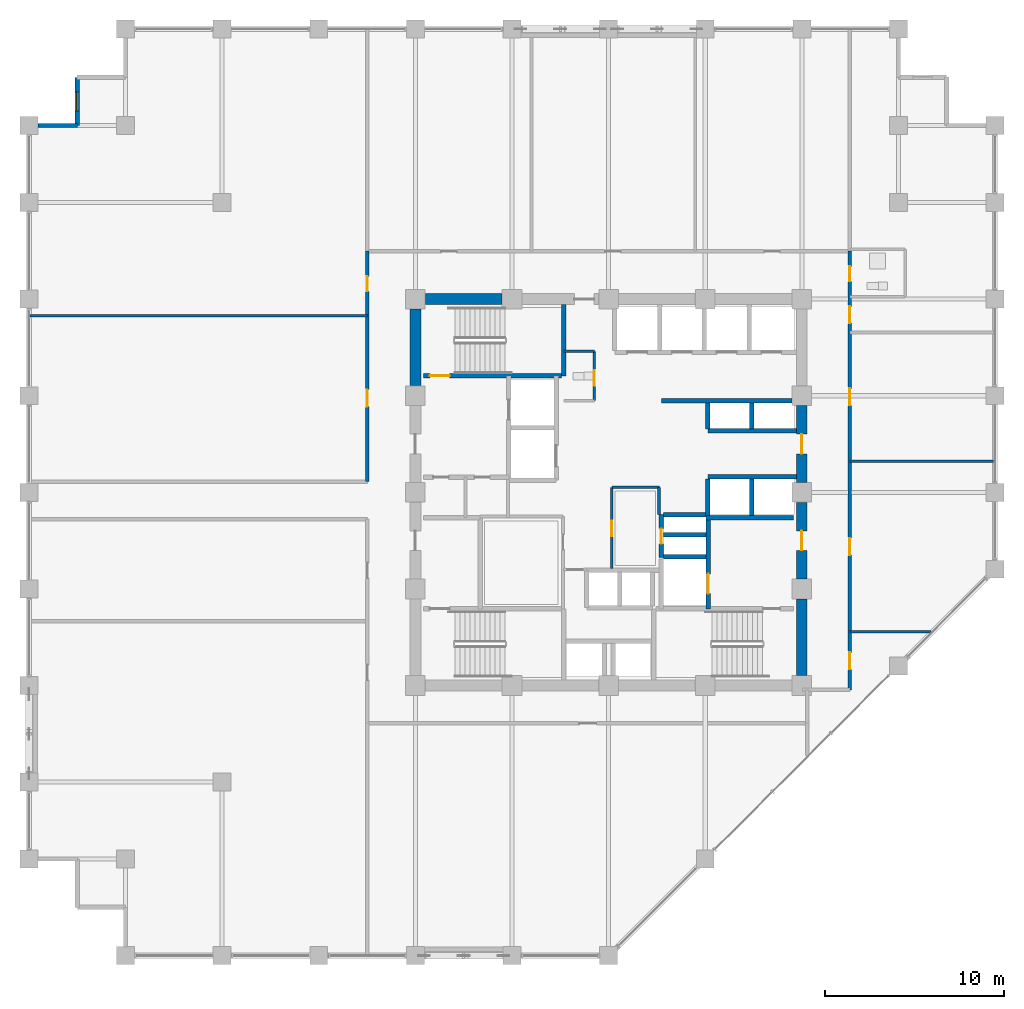
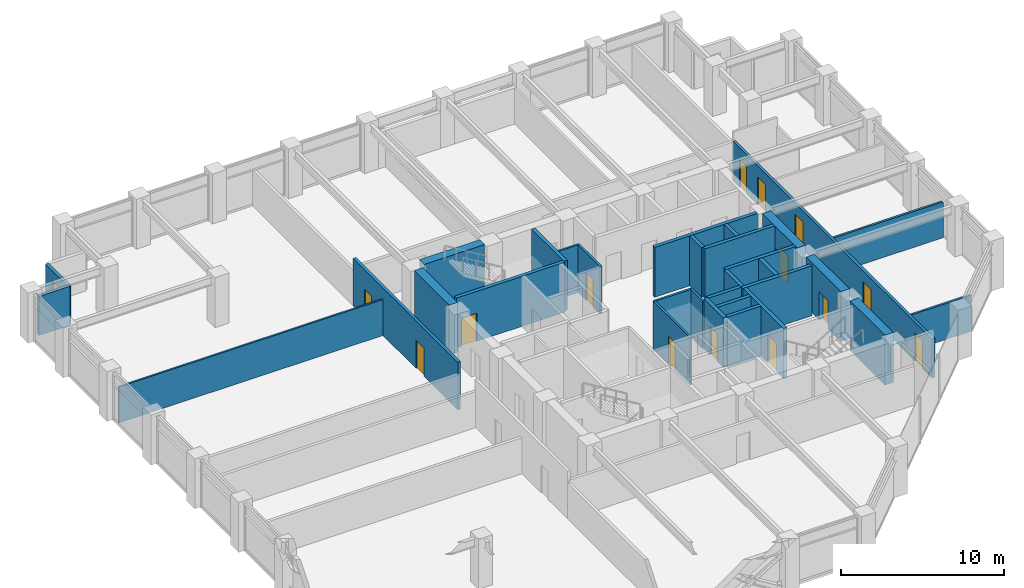
# One storey, part 20 of 23: 32 walls, 14 doors, 1 window, 15 openings.
"""IFC4 building model written with IfcOpenShell, lengths in metres."""

from ifc_helpers import new_model, si_unit, direction, frame, frame_2d, origin, place, context, subcontext, project, spatial, rectangle, extrude, material, layer, layer_set, type_object, element, fill, save


model = new_model("IFC4")

# Units and contexts
model_context = context("Model", 3, precision=1e-05, world=origin(), true_north=direction((0.0, 1.0)))
body_context = subcontext(model_context, "Body", "Model", "MODEL_VIEW")
ifc_project = project(units=[si_unit("LENGTHUNIT", "METRE"), si_unit("AREAUNIT", "SQUARE_METRE"), si_unit("VOLUMEUNIT", "CUBIC_METRE"), si_unit("PLANEANGLEUNIT", "RADIAN"), si_unit("MASSUNIT", "GRAM", prefix="KILO")], contexts=[model_context])

# Site, building, storey
site_placement = place(None, origin())
site = spatial("IfcSite", under=ifc_project, at=site_placement, CompositionType="ELEMENT")
building_placement = place(site_placement, origin())
building = spatial("IfcBuilding", under=site, at=building_placement, Name="Surkhivell Harbour Commons", CompositionType="ELEMENT")
storey_placement = place(building_placement, frame((0.0, 0.0, 132.0)))
storey = spatial("IfcBuildingStorey", under=building, at=storey_placement, Name="L34", CompositionType="ELEMENT", Elevation=132.0)

# Walls
ifc_material_1 = material(Name="Concrete C60/75", Category="concrete")
ifc_layer_1 = layer(ifc_material_1, 0.60009765625)
ifc_layer_set_1 = layer_set([ifc_layer_1], Name="Concrete C60/75")
wall_type_1 = type_object("IfcWallType", Name="WAL-CORE-600", PredefinedType="SHEAR", material=ifc_layer_set_1)
for number, where, z_axis, x_axis, name in (
    (1, (-10.239990234375, 10.800048828125, 0.0), (0.0, 0.0, 1.0), (1.0, 0.0, 0.0), "L34 Core Shear Wall North 1"),
    (2, (10.800048828125, -10.239990234375, 0.0), (0.0, 0.0, 1.0), (0.0, 1.0, 0.0), "L34 Core Shear Wall East 1"),
):
    element("IfcWall", number, at=place(storey_placement, frame(where, z_axis=z_axis, x_axis=x_axis)), inside=storey, type_object=wall_type_1, Name=name, PredefinedType="SHEAR", context=body_context, shape_type="SweptSolid", body=[
        extrude(rectangle(XDim=4.280029296875, YDim=0.60009765625, at=frame_2d((2.14013671875, 0.0))), origin(), (0.0, 0.0, 1.0), 3.75),
    ])

# Wall, opening, door
wall_1_placement = place(storey_placement, frame((10.800048828125, -4.840087890625, 0.0), z_axis=(0.0, 0.0, 1.0), x_axis=(0.0, 1.0, 0.0)))
wall_1 = element("IfcWall", 3, at=wall_1_placement, inside=storey, type_object=wall_type_1, Name="L34 Core Shear Wall East 2", PredefinedType="SHEAR", context=body_context, shape_type="SweptSolid", body=[
    extrude(rectangle(XDim=4.280029296875, YDim=0.60009765625, at=frame_2d((2.14013671875, 0.0))), origin(), (0.0, 0.0, 1.0), 3.75),
])
opening_1_placement = place(wall_1_placement, frame((1.590087890625, 0.0, 0.0)))
opening_1 = element("IfcOpeningElement", 4, at=opening_1_placement, cuts=wall_1, Name="Opening ID-1", PredefinedType="OPENING", context=body_context, shape_type="SweptSolid", body=[
    extrude(rectangle(XDim=1.10009765625, YDim=2.10009765625, at=frame_2d((0.550048828125, 1.050048828125))), frame((0.0, 0.31005859375, 0.0), z_axis=(0.0, -1.0, 0.0), x_axis=(1.0, 0.0, 0.0)), (0.0, 0.0, 1.0), 0.6201171875),
])
ifc_material_2 = material(Name="Hardwood-veneered fire-rated door leaf", Category="wood")
door_type_1 = type_object("IfcDoorType", Name="DOR-FD120-1100", OperationType="NOTDEFINED", PredefinedType="DOOR", material=ifc_material_2)
door_1_placement = place(opening_1_placement, origin())
door_1 = element("IfcDoor", 5, at=door_1_placement, inside=storey, type_object=door_type_1, Name="L34 Firefighting Lobby 2 Corridor Door", OperationType="SINGLE_SWING_RIGHT", OverallHeight=2.10009765625, OverallWidth=1.10009765625, PredefinedType="DOOR", context=body_context, shape_type="SweptSolid", body=[
    extrude(rectangle(XDim=1.10009765625, YDim=2.10009765625, at=frame_2d((0.550048828125, 1.050048828125))), frame((0.0, 0.02490234375, 0.0), z_axis=(0.0, -1.0, 0.0), x_axis=(1.0, 0.0, 0.0)), (0.0, 0.0, 1.0), 0.050048828125),
])
fill(opening_1, door_1)

wall_2_placement = place(storey_placement, frame((10.800048828125, 0.56005859375, 0.0), z_axis=(0.0, 0.0, 1.0), x_axis=(0.0, 1.0, 0.0)))
wall_2 = element("IfcWall", 6, at=wall_2_placement, inside=storey, type_object=wall_type_1, Name="L34 Core Shear Wall East 3", PredefinedType="SHEAR", context=body_context, shape_type="SweptSolid", body=[
    extrude(rectangle(XDim=4.280029296875, YDim=0.60009765625, at=frame_2d((2.14013671875, 0.0))), origin(), (0.0, 0.0, 1.0), 3.75),
])
opening_2_placement = place(wall_2_placement, frame((1.590087890625, 0.0, 0.0)))
opening_2 = element("IfcOpeningElement", 7, at=opening_2_placement, cuts=wall_2, Name="Opening ID-2", PredefinedType="OPENING", context=body_context, shape_type="SweptSolid", body=[
    extrude(rectangle(XDim=1.10009765625, YDim=2.10009765625, at=frame_2d((0.550048828125, 1.050048828125))), frame((0.0, 0.31005859375, 0.0), z_axis=(0.0, -1.0, 0.0), x_axis=(1.0, 0.0, 0.0)), (0.0, 0.0, 1.0), 0.6201171875),
])
door_type_2 = type_object("IfcDoorType", Name="DOR-FD60-1100", OperationType="NOTDEFINED", PredefinedType="DOOR", material=ifc_material_2)
door_2_placement = place(opening_2_placement, origin())
door_2 = element("IfcDoor", 8, at=door_2_placement, inside=storey, type_object=door_type_2, Name="L34 Mid-Rise Lobby East Door", OperationType="SINGLE_SWING_LEFT", OverallHeight=2.10009765625, OverallWidth=1.10009765625, PredefinedType="DOOR", context=body_context, shape_type="SweptSolid", body=[
    extrude(rectangle(XDim=1.10009765625, YDim=2.10009765625, at=frame_2d((0.550048828125, 1.050048828125))), frame((0.0, 0.02490234375, 0.0), z_axis=(0.0, -1.0, 0.0), x_axis=(1.0, 0.0, 0.0)), (0.0, 0.0, 1.0), 0.050048828125),
])
fill(opening_2, door_2)

# Wall
wall_3_placement = place(storey_placement, frame((-10.800048828125, 5.9599609375, 0.0), z_axis=(0.0, 0.0, 1.0), x_axis=(0.0, 1.0, 0.0)))
element("IfcWall", 9, at=wall_3_placement, inside=storey, type_object=wall_type_1, Name="L34 Core Shear Wall West 4", PredefinedType="SHEAR", context=body_context, shape_type="SweptSolid", body=[
    extrude(rectangle(XDim=4.280029296875, YDim=0.60009765625, at=frame_2d((2.14013671875, 0.0))), origin(), (0.0, 0.0, 1.0), 3.75),
])

# Wall, opening, window
ifc_material_3 = material(Name="Bronze-ochre cassette precast concrete C45/55", Category="concrete")
ifc_layer_2 = layer(ifc_material_3, 0.239990234375)
ifc_layer_set_2 = layer_set([ifc_layer_2], Name="Bronze-ochre cassette precast concrete C45/55")
wall_type_2 = type_object("IfcWallType", Name="WAL-EXT-OCH240", PredefinedType="STANDARD", material=ifc_layer_set_2)
wall_4_placement = place(storey_placement, frame((-29.699951171875, 23.199951171875, 0.0), z_axis=(0.0, 0.0, 1.0), x_axis=(0.0, -1.0, 0.0)))
wall_4 = element("IfcWall", 10, at=wall_4_placement, inside=storey, type_object=wall_type_2, Name="L34 Serrated Corner Facade Wall 10", PredefinedType="STANDARD", context=body_context, shape_type="SweptSolid", body=[
    extrude(rectangle(XDim=2.699951171875, YDim=0.239990234375, at=frame_2d((1.35009765625, 0.0))), origin(), (0.0, 0.0, 1.0), 2.93310546875),
])
opening_3_placement = place(wall_4_placement, frame((0.824951171875, 0.0, 0.64990234375)))
opening_3 = element("IfcOpeningElement", 11, at=opening_3_placement, cuts=wall_4, Name="Opening WN-11", PredefinedType="OPENING", context=body_context, shape_type="SweptSolid", body=[
    extrude(rectangle(XDim=1.050048828125, YDim=1.5, at=frame_2d((0.52490234375, 0.75))), frame((0.0, 0.1298828125, 0.0), z_axis=(0.0, -1.0, 0.0), x_axis=(1.0, 0.0, 0.0)), (0.0, 0.0, 1.0), 0.260009765625),
])
ifc_material_4 = material(Name="Thermal-break aluminium frame and double low-E glazing", Category="aluminium")
window_type = type_object("IfcWindowType", Name="WIN-SER-1050x1500", PartitioningType="SINGLE_PANEL", PredefinedType="WINDOW", material=ifc_material_4)
window_placement = place(opening_3_placement, origin())
window = element("IfcWindow", 12, at=window_placement, inside=storey, type_object=window_type, Name="L34 Serrated Alcove Window 10", OverallHeight=1.5, OverallWidth=1.050048828125, PartitioningType="SINGLE_PANEL", PredefinedType="WINDOW", context=body_context, shape_type="SweptSolid", body=[
    extrude(rectangle(XDim=1.050048828125, YDim=1.5, at=frame_2d((0.52490234375, 0.75))), frame((0.0, 0.030029296875, 0.0), z_axis=(0.0, -1.0, 0.0), x_axis=(1.0, 0.0, 0.0)), (0.0, 0.0, 1.0), 0.06005859375),
])
fill(opening_3, window)

# Walls
wall_5_placement = place(storey_placement, frame((-29.699951171875, 20.5, 0.0), z_axis=(0.0, 0.0, 1.0), x_axis=(-1.0, 0.0, 0.0)))
element("IfcWall", 13, at=wall_5_placement, inside=storey, type_object=wall_type_2, Name="L34 Serrated Corner Facade Wall 11", PredefinedType="STANDARD", context=body_context, shape_type="SweptSolid", body=[
    extrude(rectangle(XDim=2.2021484375, YDim=0.239990234375, at=frame_2d((1.10107421875, 0.0))), origin(), (0.0, 0.0, 1.0), 2.93310546875),
])
ifc_material_5 = material(Name="Moisture-resistant acoustic stud partition", Category="other")
ifc_layer_3 = layer(ifc_material_5, 0.125)
ifc_layer_set_3 = layer_set([ifc_layer_3], Name="Moisture-resistant acoustic stud partition")
wall_type_3 = type_object("IfcWallType", Name="WAL-INT-125", PredefinedType="PARTITIONING", material=ifc_layer_set_3)
wall_6_placement = place(storey_placement, frame((-32.340087890625, 9.8701171875, 0.0), z_axis=(0.0, 0.0, 1.0), x_axis=(1.0, 0.0, 0.0)))
element("IfcWall", 14, at=wall_6_placement, inside=storey, type_object=wall_type_3, Name="L34 North-West Partition P1", PredefinedType="PARTITIONING", context=body_context, shape_type="SweptSolid", body=[
    extrude(rectangle(XDim=18.860107421875, YDim=0.125, at=frame_2d((9.43017578125, 0.0))), origin(), (0.0, 0.0, 1.0), 2.698974609375),
])

# Wall, opening, door
ifc_material_6 = material(Name="Twin-stud acoustic fireboard partition", Category="other")
ifc_layer_4 = layer(ifc_material_6, 0.14990234375)
ifc_layer_set_4 = layer_set([ifc_layer_4], Name="Twin-stud acoustic fireboard partition")
wall_type_4 = type_object("IfcWallType", Name="WAL-INT-150", PredefinedType="PARTITIONING", material=ifc_layer_set_4)
wall_7_placement = place(storey_placement, frame((-0.800048828125, 5.1201171875, 0.0), z_axis=(0.0, 0.0, 1.0), x_axis=(0.0, 1.0, 0.0)))
wall_7 = element("IfcWall", 15, at=wall_7_placement, inside=storey, type_object=wall_type_4, Name="L34 Core Accessible WC East Wall", PredefinedType="PARTITIONING", context=body_context, shape_type="SweptSolid", body=[
    extrude(rectangle(XDim=2.759765625, YDim=0.14990234375, at=frame_2d((1.3798828125, 0.0))), origin(), (0.0, 0.0, 1.0), 3.570068359375),
])
opening_4_placement = place(wall_7_placement, frame((0.85009765625, 0.0, 0.0)))
opening_4 = element("IfcOpeningElement", 16, at=opening_4_placement, cuts=wall_7, Name="Opening ID-6", PredefinedType="OPENING", context=body_context, shape_type="SweptSolid", body=[
    extrude(rectangle(XDim=0.85009765625, YDim=2.10009765625, at=frame_2d((0.425048828125, 1.050048828125))), frame((0.0, 0.0849609375, 0.0), z_axis=(0.0, -1.0, 0.0), x_axis=(1.0, 0.0, 0.0)), (0.0, 0.0, 1.0), 0.169921875),
])
door_type_3 = type_object("IfcDoorType", Name="DOR-FD30-850", OperationType="NOTDEFINED", PredefinedType="DOOR", material=ifc_material_2)
door_3_placement = place(opening_4_placement, origin())
door_3 = element("IfcDoor", 17, at=door_3_placement, inside=storey, type_object=door_type_3, Name="L34 Floor Accessible WC Door", OperationType="SINGLE_SWING_LEFT", OverallHeight=2.10009765625, OverallWidth=0.85009765625, PredefinedType="DOOR", context=body_context, shape_type="SweptSolid", body=[
    extrude(rectangle(XDim=0.85009765625, YDim=2.10009765625, at=frame_2d((0.425048828125, 1.050048828125))), frame((0.0, 0.02490234375, 0.0), z_axis=(0.0, -1.0, 0.0), x_axis=(1.0, 0.0, 0.0)), (0.0, 0.0, 1.0), 0.050048828125),
])
fill(opening_4, door_3)

# Walls
wall_8_placement = place(storey_placement, frame((-2.47998046875, 7.8798828125, 0.0), z_axis=(0.0, 0.0, 1.0), x_axis=(1.0, 0.0, 0.0)))
element("IfcWall", 18, at=wall_8_placement, inside=storey, type_object=wall_type_4, Name="L34 Core Accessible WC North Wall", PredefinedType="PARTITIONING", context=body_context, shape_type="SweptSolid", body=[
    extrude(rectangle(XDim=1.679931640625, YDim=0.14990234375, at=frame_2d((0.83984375, 0.0))), origin(), (0.0, 0.0, 1.0), 3.570068359375),
])
wall_9_placement = place(storey_placement, frame((2.820068359375, -1.25, 0.0), z_axis=(0.0, 0.0, 1.0), x_axis=(0.0, 1.0, 0.0)))
element("IfcWall", 19, at=wall_9_placement, inside=storey, type_object=wall_type_4, Name="L34 Central Music East Wall", PredefinedType="PARTITIONING", context=body_context, shape_type="SweptSolid", body=[
    extrude(rectangle(XDim=1.530029296875, YDim=0.14990234375, at=frame_2d((0.76513671875, 0.0))), origin(), (0.0, 0.0, 1.0), 3.570068359375),
])
wall_10_placement = place(storey_placement, frame((0.179931640625, 0.280029296875, 0.0), z_axis=(0.0, 0.0, 1.0), x_axis=(1.0, 0.0, 0.0)))
element("IfcWall", 20, at=wall_10_placement, inside=storey, type_object=wall_type_4, Name="L34 Central Music North Wall", PredefinedType="PARTITIONING", context=body_context, shape_type="SweptSolid", body=[
    extrude(rectangle(XDim=2.670166015625, YDim=0.14990234375, at=frame_2d((1.3349609375, 0.0))), origin(), (0.0, 0.0, 1.0), 3.570068359375),
])

# Wall, opening, door
wall_11_placement = place(storey_placement, frame((0.179931640625, -4.25, 0.0), z_axis=(0.0, 0.0, 1.0), x_axis=(0.0, 1.0, 0.0)))
wall_11 = element("IfcWall", 21, at=wall_11_placement, inside=storey, type_object=wall_type_4, Name="L34 Central Music West Wall", PredefinedType="PARTITIONING", context=body_context, shape_type="SweptSolid", body=[
    extrude(rectangle(XDim=4.530029296875, YDim=0.14990234375, at=frame_2d((2.26513671875, 0.0))), origin(), (0.0, 0.0, 1.0), 3.570068359375),
])
opening_5_placement = place(wall_11_placement, frame((1.800048828125, 0.0, 0.0)))
opening_5 = element("IfcOpeningElement", 22, at=opening_5_placement, cuts=wall_11, Name="Opening ID-6", PredefinedType="OPENING", context=body_context, shape_type="SweptSolid", body=[
    extrude(rectangle(XDim=0.85009765625, YDim=2.10009765625, at=frame_2d((0.425048828125, 1.050048828125))), frame((0.0, 0.0849609375, 0.0), z_axis=(0.0, -1.0, 0.0), x_axis=(1.0, 0.0, 0.0)), (0.0, 0.0, 1.0), 0.169921875),
])
door_4_placement = place(opening_5_placement, origin())
door_4 = element("IfcDoor", 23, at=door_4_placement, inside=storey, type_object=door_type_3, Name="L34 Central Music Door", OperationType="SINGLE_SWING_RIGHT", OverallHeight=2.10009765625, OverallWidth=0.85009765625, PredefinedType="DOOR", context=body_context, shape_type="SweptSolid", body=[
    extrude(rectangle(XDim=0.85009765625, YDim=2.10009765625, at=frame_2d((0.425048828125, 1.050048828125))), frame((0.0, 0.02490234375, 0.0), z_axis=(0.0, -1.0, 0.0), x_axis=(1.0, 0.0, 0.0)), (0.0, 0.0, 1.0), 0.050048828125),
])
fill(opening_5, door_4)

# Walls
wall_12_placement = place(storey_placement, frame((13.47998046875, 1.739990234375, 0.0), z_axis=(0.0, 0.0, 1.0), x_axis=(1.0, 0.0, 0.0)))
element("IfcWall", 24, at=wall_12_placement, inside=storey, type_object=wall_type_4, Name="L34 East Partition BDP1", PredefinedType="PARTITIONING", context=body_context, shape_type="SweptSolid", body=[
    extrude(rectangle(XDim=8.06005859375, YDim=0.14990234375, at=frame_2d((4.030029296875, 0.0))), origin(), (0.0, 0.0, 1.0), 2.698974609375),
])
wall_13_placement = place(storey_placement, frame((13.47998046875, -7.800048828125, 0.0), z_axis=(0.0, 0.0, 1.0), x_axis=(1.0, 0.0, 0.0)))
element("IfcWall", 25, at=wall_13_placement, inside=storey, type_object=wall_type_4, Name="L34 East Partition PBOT", PredefinedType="PARTITIONING", context=body_context, shape_type="SweptSolid", body=[
    extrude(rectangle(XDim=4.53515625, YDim=0.14990234375, at=frame_2d((2.267578125, 0.0))), origin(), (0.0, 0.0, 1.0), 2.698974609375),
])

# Wall, openings, doors
ifc_material_7 = material(Name="Autoclaved aerated concrete blockwork and fire plaster", Category="masonry")
ifc_layer_5 = layer(ifc_material_7, 0.199951171875)
ifc_layer_set_5 = layer_set([ifc_layer_5], Name="Autoclaved aerated concrete blockwork and fire plaster")
wall_type_5 = type_object("IfcWallType", Name="WAL-INT-200", PredefinedType="PARTITIONING", material=ifc_layer_set_5)
wall_14_placement = place(storey_placement, frame((13.47998046875, -11.0400390625, 0.0), z_axis=(0.0, 0.0, 1.0), x_axis=(0.0, 1.0, 0.0)))
wall_14 = element("IfcWall", 26, at=wall_14_placement, inside=storey, type_object=wall_type_5, Name="L34 Corridor East Wall", PredefinedType="PARTITIONING", context=body_context, shape_type="SweptSolid", body=[
    extrude(rectangle(XDim=24.52001953125, YDim=0.199951171875, at=frame_2d((12.260009765625, 0.0))), origin(), (0.0, 0.0, 1.0), 2.93310546875),
])
opening_6_placement = place(wall_14_placement, frame((1.139892578125, 0.0, 0.0)))
opening_6 = element("IfcOpeningElement", 27, at=opening_6_placement, cuts=wall_14, Name="Opening ID-4", PredefinedType="OPENING", context=body_context, shape_type="SweptSolid", body=[
    extrude(rectangle(XDim=0.949951171875, YDim=2.10009765625, at=frame_2d((0.47509765625, 1.050048828125))), frame((0.0, 0.10986328125, 0.0), z_axis=(0.0, -1.0, 0.0), x_axis=(1.0, 0.0, 0.0)), (0.0, 0.0, 1.0), 0.219970703125),
])
opening_7_placement = place(wall_14_placement, frame((22.824951171875, 0.0, 0.0)))
opening_7 = element("IfcOpeningElement", 28, at=opening_7_placement, cuts=wall_14, Name="Opening ID-6", PredefinedType="OPENING", context=body_context, shape_type="SweptSolid", body=[
    extrude(rectangle(XDim=0.85009765625, YDim=2.10009765625, at=frame_2d((0.425048828125, 1.050048828125))), frame((0.0, 0.10986328125, 0.0), z_axis=(0.0, -1.0, 0.0), x_axis=(1.0, 0.0, 0.0)), (0.0, 0.0, 1.0), 0.219970703125),
])
opening_8_placement = place(wall_14_placement, frame((20.489990234375, 0.0, 0.0)))
opening_8 = element("IfcOpeningElement", 29, at=opening_8_placement, cuts=wall_14, Name="Opening ID-4", PredefinedType="OPENING", context=body_context, shape_type="SweptSolid", body=[
    extrude(rectangle(XDim=0.949951171875, YDim=2.10009765625, at=frame_2d((0.47509765625, 1.050048828125))), frame((0.0, 0.10986328125, 0.0), z_axis=(0.0, -1.0, 0.0), x_axis=(1.0, 0.0, 0.0)), (0.0, 0.0, 1.0), 0.219970703125),
])
opening_9_placement = place(wall_14_placement, frame((7.530029296875, 0.0, 0.0)))
opening_9 = element("IfcOpeningElement", 30, at=opening_9_placement, cuts=wall_14, Name="Opening ID-4", PredefinedType="OPENING", context=body_context, shape_type="SweptSolid", body=[
    extrude(rectangle(XDim=0.949951171875, YDim=2.10009765625, at=frame_2d((0.47509765625, 1.050048828125))), frame((0.0, 0.10986328125, 0.0), z_axis=(0.0, -1.0, 0.0), x_axis=(1.0, 0.0, 0.0)), (0.0, 0.0, 1.0), 0.219970703125),
])
opening_10_placement = place(wall_14_placement, frame((15.89501953125, 0.0, 0.0)))
opening_10 = element("IfcOpeningElement", 31, at=opening_10_placement, cuts=wall_14, Name="Opening ID-4", PredefinedType="OPENING", context=body_context, shape_type="SweptSolid", body=[
    extrude(rectangle(XDim=0.949951171875, YDim=2.10009765625, at=frame_2d((0.47509765625, 1.050048828125))), frame((0.0, 0.10986328125, 0.0), z_axis=(0.0, -1.0, 0.0), x_axis=(1.0, 0.0, 0.0)), (0.0, 0.0, 1.0), 0.219970703125),
])
door_5_placement = place(opening_7_placement, origin())
door_5 = element("IfcDoor", 32, at=door_5_placement, inside=storey, type_object=door_type_3, Name="L34 Communal Shower Bathroom East Door", OperationType="SINGLE_SWING_LEFT", OverallHeight=2.10009765625, OverallWidth=0.85009765625, PredefinedType="DOOR", context=body_context, shape_type="SweptSolid", body=[
    extrude(rectangle(XDim=0.85009765625, YDim=2.10009765625, at=frame_2d((0.425048828125, 1.050048828125))), frame((0.0, 0.02490234375, 0.0), z_axis=(0.0, -1.0, 0.0), x_axis=(1.0, 0.0, 0.0)), (0.0, 0.0, 1.0), 0.050048828125),
])
fill(opening_7, door_5)
door_type_4 = type_object("IfcDoorType", Name="DOR-FD60-950", OperationType="NOTDEFINED", PredefinedType="DOOR", material=ifc_material_2)
door_6_placement = place(opening_6_placement, origin())
door_6 = element("IfcDoor", 33, at=door_6_placement, inside=storey, type_object=door_type_4, Name="L34 Shared Communal Kitchen East Door", OperationType="SINGLE_SWING_RIGHT", OverallHeight=2.10009765625, OverallWidth=0.949951171875, PredefinedType="DOOR", context=body_context, shape_type="SweptSolid", body=[
    extrude(rectangle(XDim=0.949951171875, YDim=2.10009765625, at=frame_2d((0.47509765625, 1.050048828125))), frame((0.0, 0.02490234375, 0.0), z_axis=(0.0, -1.0, 0.0), x_axis=(1.0, 0.0, 0.0)), (0.0, 0.0, 1.0), 0.050048828125),
])
fill(opening_6, door_6)
door_7_placement = place(opening_8_placement, origin())
door_7 = element("IfcDoor", 34, at=door_7_placement, inside=storey, type_object=door_type_4, Name="L34 Academic Reading Commons East Door", OperationType="SINGLE_SWING_RIGHT", OverallHeight=2.10009765625, OverallWidth=0.949951171875, PredefinedType="DOOR", context=body_context, shape_type="SweptSolid", body=[
    extrude(rectangle(XDim=0.949951171875, YDim=2.10009765625, at=frame_2d((0.47509765625, 1.050048828125))), frame((0.0, 0.02490234375, 0.0), z_axis=(0.0, -1.0, 0.0), x_axis=(1.0, 0.0, 0.0)), (0.0, 0.0, 1.0), 0.050048828125),
])
fill(opening_8, door_7)
door_8_placement = place(opening_9_placement, origin())
door_8 = element("IfcDoor", 35, at=door_8_placement, inside=storey, type_object=door_type_4, Name="L34 Hostel Cluster Bedroom 1 East Door", OperationType="SINGLE_SWING_LEFT", OverallHeight=2.10009765625, OverallWidth=0.949951171875, PredefinedType="DOOR", context=body_context, shape_type="SweptSolid", body=[
    extrude(rectangle(XDim=0.949951171875, YDim=2.10009765625, at=frame_2d((0.47509765625, 1.050048828125))), frame((0.0, 0.02490234375, 0.0), z_axis=(0.0, -1.0, 0.0), x_axis=(1.0, 0.0, 0.0)), (0.0, 0.0, 1.0), 0.050048828125),
])
fill(opening_9, door_8)
door_9_placement = place(opening_10_placement, origin())
door_9 = element("IfcDoor", 36, at=door_9_placement, inside=storey, type_object=door_type_4, Name="L34 Co-Living Dormitory Bedroom 2 East Door", OperationType="SINGLE_SWING_RIGHT", OverallHeight=2.10009765625, OverallWidth=0.949951171875, PredefinedType="DOOR", context=body_context, shape_type="SweptSolid", body=[
    extrude(rectangle(XDim=0.949951171875, YDim=2.10009765625, at=frame_2d((0.47509765625, 1.050048828125))), frame((0.0, 0.02490234375, 0.0), z_axis=(0.0, -1.0, 0.0), x_axis=(1.0, 0.0, 0.0)), (0.0, 0.0, 1.0), 0.050048828125),
])
fill(opening_10, door_9)

wall_15_placement = place(storey_placement, frame((-13.47998046875, 0.60009765625, 0.0), z_axis=(0.0, 0.0, 1.0), x_axis=(0.0, 1.0, 0.0)))
wall_15 = element("IfcWall", 37, at=wall_15_placement, inside=storey, type_object=wall_type_5, Name="L34 Corridor West-Upper Wall", PredefinedType="PARTITIONING", context=body_context, shape_type="SweptSolid", body=[
    extrude(rectangle(XDim=12.8798828125, YDim=0.199951171875, at=frame_2d((6.43994140625, 0.0))), origin(), (0.0, 0.0, 1.0), 3.570068359375),
])
opening_11_placement = place(wall_15_placement, frame((4.18505859375, 0.0, 0.0)))
opening_11 = element("IfcOpeningElement", 38, at=opening_11_placement, cuts=wall_15, Name="Opening ID-4", PredefinedType="OPENING", context=body_context, shape_type="SweptSolid", body=[
    extrude(rectangle(XDim=0.949951171875, YDim=2.10009765625, at=frame_2d((0.47509765625, 1.050048828125))), frame((0.0, 0.10986328125, 0.0), z_axis=(0.0, -1.0, 0.0), x_axis=(1.0, 0.0, 0.0)), (0.0, 0.0, 1.0), 0.219970703125),
])
opening_12_placement = place(wall_15_placement, frame((10.625, 0.0, 0.0)))
opening_12 = element("IfcOpeningElement", 39, at=opening_12_placement, cuts=wall_15, Name="Opening ID-6", PredefinedType="OPENING", context=body_context, shape_type="SweptSolid", body=[
    extrude(rectangle(XDim=0.85009765625, YDim=2.10009765625, at=frame_2d((0.425048828125, 1.050048828125))), frame((0.0, 0.10986328125, 0.0), z_axis=(0.0, -1.0, 0.0), x_axis=(1.0, 0.0, 0.0)), (0.0, 0.0, 1.0), 0.219970703125),
])
door_10_placement = place(opening_12_placement, origin())
door_10 = element("IfcDoor", 40, at=door_10_placement, inside=storey, type_object=door_type_3, Name="L34 Resident Advisory Reception Desk North-West Door", OperationType="SINGLE_SWING_RIGHT", OverallHeight=2.10009765625, OverallWidth=0.85009765625, PredefinedType="DOOR", context=body_context, shape_type="SweptSolid", body=[
    extrude(rectangle(XDim=0.85009765625, YDim=2.10009765625, at=frame_2d((0.425048828125, 1.050048828125))), frame((0.0, 0.02490234375, 0.0), z_axis=(0.0, -1.0, 0.0), x_axis=(1.0, 0.0, 0.0)), (0.0, 0.0, 1.0), 0.050048828125),
])
fill(opening_12, door_10)
door_11_placement = place(opening_11_placement, origin())
door_11 = element("IfcDoor", 41, at=door_11_placement, inside=storey, type_object=door_type_4, Name="L34 Zone Concierge Reception Foyer North-West Door", OperationType="SINGLE_SWING_LEFT", OverallHeight=2.10009765625, OverallWidth=0.949951171875, PredefinedType="DOOR", context=body_context, shape_type="SweptSolid", body=[
    extrude(rectangle(XDim=0.949951171875, YDim=2.10009765625, at=frame_2d((0.47509765625, 1.050048828125))), frame((0.0, 0.02490234375, 0.0), z_axis=(0.0, -1.0, 0.0), x_axis=(1.0, 0.0, 0.0)), (0.0, 0.0, 1.0), 0.050048828125),
])
fill(opening_11, door_11)

# Walls
ifc_material_8 = material(Name="Concrete C50/60", Category="concrete")
ifc_layer_6 = layer(ifc_material_8, 0.25)
ifc_layer_set_6 = layer_set([ifc_layer_6], Name="Concrete C50/60")
wall_type_6 = type_object("IfcWallType", Name="WAL-SHAFT-250", PredefinedType="SHEAR", material=ifc_layer_set_6)
wall_16_placement = place(storey_placement, frame((5.43994140625, -1.419921875, 0.0), z_axis=(0.0, 0.0, 1.0), x_axis=(1.0, 0.0, 0.0)))
element("IfcWall", 42, at=wall_16_placement, inside=storey, type_object=wall_type_6, Name="L34 Firefighting Lobby 2 North Wall", PredefinedType="SHEAR", context=body_context, shape_type="SweptSolid", body=[
    extrude(rectangle(XDim=4.900146484375, YDim=0.25, at=frame_2d((2.4501953125, 0.0))), origin(), (0.0, 0.0, 1.0), 3.75),
])
wall_17_placement = place(storey_placement, frame((3.080078125, -3.60009765625, 0.0), z_axis=(0.0, 0.0, 1.0), x_axis=(1.0, 0.0, 0.0)))
element("IfcWall", 43, at=wall_17_placement, inside=storey, type_object=wall_type_6, Name="L34 FFL2 North Shaft Wall", PredefinedType="SHEAR", context=body_context, shape_type="SweptSolid", body=[
    extrude(rectangle(XDim=2.369873046875, YDim=0.25, at=frame_2d((1.18505859375, 0.0))), origin(), (0.0, 0.0, 1.0), 3.75),
])

# Wall, opening, door
wall_18_placement = place(storey_placement, frame((5.580078125, -6.510009765625, 0.0), z_axis=(0.0, 0.0, 1.0), x_axis=(0.0, 1.0, 0.0)))
wall_18 = element("IfcWall", 44, at=wall_18_placement, inside=storey, type_object=wall_type_6, Name="L34 Firefighting Lobby 2 West Shaft Wall", PredefinedType="SHEAR", context=body_context, shape_type="SweptSolid", body=[
    extrude(rectangle(XDim=5.090087890625, YDim=0.25, at=frame_2d((2.544921875, 0.0))), origin(), (0.0, 0.0, 1.0), 3.75),
])
opening_13_placement = place(wall_18_placement, frame((0.85009765625, 0.0, 0.0)))
opening_13 = element("IfcOpeningElement", 45, at=opening_13_placement, cuts=wall_18, Name="Opening LD-1", PredefinedType="OPENING", context=body_context, shape_type="SweptSolid", body=[
    extrude(rectangle(XDim=1.10009765625, YDim=2.10009765625, at=frame_2d((0.550048828125, 1.050048828125))), frame((0.0, 0.135009765625, 0.0), z_axis=(0.0, -1.0, 0.0), x_axis=(1.0, 0.0, 0.0)), (0.0, 0.0, 1.0), 0.27001953125),
])
ifc_material_9 = material(Name="Brushed stainless steel S355", Category="steel")
door_type_5 = type_object("IfcDoorType", Name="DOR-LD-1100", OperationType="SLIDING_TO_LEFT", PredefinedType="DOOR", material=ifc_material_9)
door_12_placement = place(opening_13_placement, origin())
door_12 = element("IfcDoor", 46, at=door_12_placement, inside=storey, type_object=door_type_5, Name="L34 Lift Landing Door LD-FFL2", OperationType="SLIDING_TO_RIGHT", OverallHeight=2.10009765625, OverallWidth=1.10009765625, PredefinedType="DOOR", context=body_context, shape_type="SweptSolid", body=[
    extrude(rectangle(XDim=1.10009765625, YDim=2.10009765625, at=frame_2d((0.550048828125, 1.050048828125))), frame((0.0, 0.02490234375, 0.0), z_axis=(0.0, -1.0, 0.0), x_axis=(1.0, 0.0, 0.0)), (0.0, 0.0, 1.0), 0.050048828125),
])
fill(opening_13, door_12)

# Walls
wall_19_placement = place(storey_placement, frame((2.949951171875, 5.1201171875, 0.0), z_axis=(0.0, 0.0, 1.0), x_axis=(1.0, 0.0, 0.0)))
element("IfcWall", 47, at=wall_19_placement, inside=storey, type_object=wall_type_6, Name="L34 Low-Rise Lobby South Wall", PredefinedType="SHEAR", context=body_context, shape_type="SweptSolid", body=[
    extrude(rectangle(XDim=7.300048828125, YDim=0.25, at=frame_2d((3.64990234375, 0.0))), origin(), (0.0, 0.0, 1.0), 3.75),
])
for number, where, z_axis, x_axis, name in (
    (48, (5.550048828125, 3.550048828125, 0.0), (0.0, 0.0, 1.0), (0.0, 1.0, 0.0), "L34 Mid-Rise Shaft Side Wall N"),
    (49, (8.0, 3.550048828125, 0.0), (0.0, 0.0, 1.0), (0.0, 1.0, 0.0), "L34 Mid-Rise Shaft Side Wall N"),
):
    element("IfcWall", number, at=place(storey_placement, frame(where, z_axis=z_axis, x_axis=x_axis)), inside=storey, type_object=wall_type_6, Name=name, PredefinedType="SHEAR", context=body_context, shape_type="SweptSolid", body=[
        extrude(rectangle(XDim=1.449951171875, YDim=0.25, at=frame_2d((0.72509765625, 0.0))), origin(), (0.0, 0.0, 1.0), 3.75),
    ])
for number, where, z_axis, x_axis, name in (
    (50, (5.550048828125, -1.300048828125, 0.0), (0.0, 0.0, 1.0), (0.0, 1.0, 0.0), "L34 Mid-Rise Shaft Side Wall S"),
    (51, (8.0, -1.300048828125, 0.0), (0.0, 0.0, 1.0), (0.0, 1.0, 0.0), "L34 Mid-Rise Shaft Side Wall S"),
):
    element("IfcWall", number, at=place(storey_placement, frame(where, z_axis=z_axis, x_axis=x_axis)), inside=storey, type_object=wall_type_6, Name=name, PredefinedType="SHEAR", context=body_context, shape_type="SweptSolid", body=[
        extrude(rectangle(XDim=2.0400390625, YDim=0.25, at=frame_2d((1.02001953125, 0.0))), origin(), (0.0, 0.0, 1.0), 3.75),
    ])
for number, where, z_axis, x_axis, name in (
    (52, (5.550048828125, 3.429931640625, 0.0), (0.0, 0.0, 1.0), (1.0, 0.0, 0.0), "L34 Mid-Rise North Front Shaft Wall"),
    (53, (5.550048828125, 0.8701171875, 0.0), (0.0, 0.0, 1.0), (1.0, 0.0, 0.0), "L34 Mid-Rise South Front Shaft Wall"),
):
    element("IfcWall", number, at=place(storey_placement, frame(where, z_axis=z_axis, x_axis=x_axis)), inside=storey, type_object=wall_type_6, Name=name, PredefinedType="SHEAR", context=body_context, shape_type="SweptSolid", body=[
        extrude(rectangle(XDim=4.949951171875, YDim=0.25, at=frame_2d((2.47509765625, 0.0))), origin(), (0.0, 0.0, 1.0), 3.75),
    ])
for number, where, z_axis, x_axis, name in (
    (54, (3.080078125, -2.3798828125, 0.0), (0.0, 0.0, 1.0), (1.0, 0.0, 0.0), "L34 Riser Divider Wall"),
    (55, (3.080078125, -1.25, 0.0), (0.0, 0.0, 1.0), (1.0, 0.0, 0.0), "L34 Riser North Wall"),
):
    element("IfcWall", number, at=place(storey_placement, frame(where, z_axis=z_axis, x_axis=x_axis)), inside=storey, type_object=wall_type_6, Name=name, PredefinedType="SHEAR", context=body_context, shape_type="SweptSolid", body=[
        extrude(rectangle(XDim=2.369873046875, YDim=0.25, at=frame_2d((1.18505859375, 0.0))), origin(), (0.0, 0.0, 1.0), 3.75),
    ])

# Wall, opening, door
wall_20_placement = place(storey_placement, frame((2.949951171875, -3.64990234375, 0.0), z_axis=(0.0, 0.0, 1.0), x_axis=(0.0, 1.0, 0.0)))
wall_20 = element("IfcWall", 56, at=wall_20_placement, inside=storey, type_object=wall_type_6, Name="L34 Riser Shaft West Wall", PredefinedType="SHEAR", context=body_context, shape_type="SweptSolid", body=[
    extrude(rectangle(XDim=2.39990234375, YDim=0.25, at=frame_2d((1.199951171875, 0.0))), origin(), (0.0, 0.0, 1.0), 3.75),
])
opening_14_placement = place(wall_20_placement, frame((0.77490234375, 0.0, 0.0)))
opening_14 = element("IfcOpeningElement", 57, at=opening_14_placement, cuts=wall_20, Name="Opening ID-6", PredefinedType="OPENING", context=body_context, shape_type="SweptSolid", body=[
    extrude(rectangle(XDim=0.85009765625, YDim=2.10009765625, at=frame_2d((0.425048828125, 1.050048828125))), frame((0.0, 0.135009765625, 0.0), z_axis=(0.0, -1.0, 0.0), x_axis=(1.0, 0.0, 0.0)), (0.0, 0.0, 1.0), 0.27001953125),
])
door_13_placement = place(opening_14_placement, origin())
door_13 = element("IfcDoor", 58, at=door_13_placement, inside=storey, type_object=door_type_3, Name="L34 Electrical Riser Access Door", OperationType="SINGLE_SWING_LEFT", OverallHeight=2.10009765625, OverallWidth=0.85009765625, PredefinedType="DOOR", context=body_context, shape_type="SweptSolid", body=[
    extrude(rectangle(XDim=0.85009765625, YDim=2.10009765625, at=frame_2d((0.425048828125, 1.050048828125))), frame((0.0, 0.02490234375, 0.0), z_axis=(0.0, -1.0, 0.0), x_axis=(1.0, 0.0, 0.0)), (0.0, 0.0, 1.0), 0.050048828125),
])
fill(opening_14, door_13)

# Wall
wall_21_placement = place(storey_placement, frame((-2.510009765625, 6.510009765625, 0.0), z_axis=(0.0, 0.0, 1.0), x_axis=(0.0, 1.0, 0.0)))
element("IfcWall", 59, at=wall_21_placement, inside=storey, type_object=wall_type_6, Name="L34 Stair ST1 East Shear Wall", PredefinedType="SHEAR", context=body_context, shape_type="SweptSolid", body=[
    extrude(rectangle(XDim=3.989990234375, YDim=0.25, at=frame_2d((1.9951171875, 0.0))), origin(), (0.0, 0.0, 1.0), 3.75),
])

# Wall, opening, door
wall_22_placement = place(storey_placement, frame((-10.340087890625, 6.510009765625, 0.0), z_axis=(0.0, 0.0, 1.0), x_axis=(1.0, 0.0, 0.0)))
wall_22 = element("IfcWall", 60, at=wall_22_placement, inside=storey, type_object=wall_type_6, Name="L34 Stair ST1 South Shear Wall", PredefinedType="SHEAR", context=body_context, shape_type="SweptSolid", body=[
    extrude(rectangle(XDim=7.7001953125, YDim=0.25, at=frame_2d((3.85009765625, 0.0))), origin(), (0.0, 0.0, 1.0), 3.75),
])
opening_15_placement = place(wall_22_placement, frame((0.35009765625, 0.0, 0.0)))
opening_15 = element("IfcOpeningElement", 61, at=opening_15_placement, cuts=wall_22, Name="Opening ID-2", PredefinedType="OPENING", context=body_context, shape_type="SweptSolid", body=[
    extrude(rectangle(XDim=1.10009765625, YDim=2.10009765625, at=frame_2d((0.550048828125, 1.050048828125))), frame((0.0, 0.135009765625, 0.0), z_axis=(0.0, -1.0, 0.0), x_axis=(1.0, 0.0, 0.0)), (0.0, 0.0, 1.0), 0.27001953125),
])
door_14_placement = place(opening_15_placement, origin())
door_14 = element("IfcDoor", 62, at=door_14_placement, inside=storey, type_object=door_type_2, Name="L34 Stair ST1 Exit Door", OperationType="SINGLE_SWING_LEFT", OverallHeight=2.10009765625, OverallWidth=1.10009765625, PredefinedType="DOOR", context=body_context, shape_type="SweptSolid", body=[
    extrude(rectangle(XDim=1.10009765625, YDim=2.10009765625, at=frame_2d((0.550048828125, 1.050048828125))), frame((0.0, 0.02490234375, 0.0), z_axis=(0.0, -1.0, 0.0), x_axis=(1.0, 0.0, 0.0)), (0.0, 0.0, 1.0), 0.050048828125),
])
fill(opening_15, door_14)

save(model, "model.ifc")
